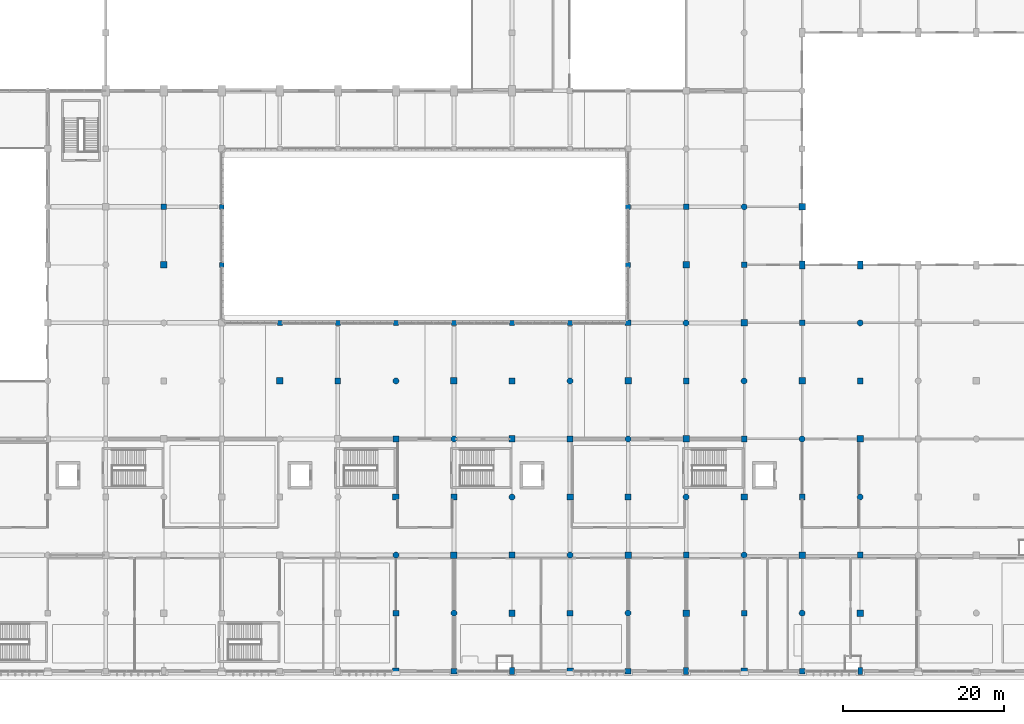
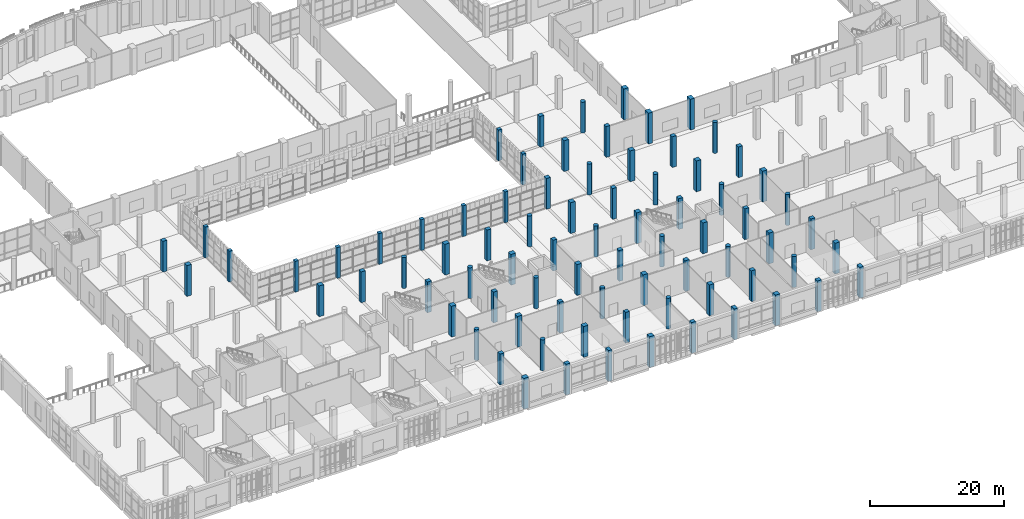
# One storey, part 4 of 80: 80 columns.
"""IFC4 building model written with IfcOpenShell, lengths in metres."""

from ifc_helpers import new_model, si_unit, direction, frame, origin, origin_2d, place, context, subcontext, project, spatial, rectangle, circle, extrude, material, material_profile, profile_set, type_object, element, save


model = new_model("IFC4")

# Units and contexts
model_context = context("Model", 3, precision=1e-05, world=origin(), true_north=direction((0.0, 1.0)))
body_context = subcontext(model_context, "Body", "Model", "MODEL_VIEW")
ifc_project = project(units=[si_unit("LENGTHUNIT", "METRE"), si_unit("AREAUNIT", "SQUARE_METRE"), si_unit("VOLUMEUNIT", "CUBIC_METRE"), si_unit("PLANEANGLEUNIT", "RADIAN"), si_unit("MASSUNIT", "GRAM", prefix="KILO")], contexts=[model_context])

# Site, building, storey
site_placement = place(None, origin())
site = spatial("IfcSite", under=ifc_project, at=site_placement, CompositionType="ELEMENT")
building_placement = place(site_placement, origin())
building = spatial("IfcBuilding", under=site, at=building_placement, Name="Sardonyx Promenade Sports Hall", CompositionType="ELEMENT")
storey_placement = place(building_placement, frame((0.0, 0.0, 5.60009765625)))
storey = spatial("IfcBuildingStorey", under=building, at=storey_placement, Name="L01", CompositionType="ELEMENT", Elevation=5.60009765625)

# Columns
ifc_material_1 = material(Name="Concrete C40/50", Category="concrete")
ifc_material_profile_1 = material_profile(ifc_material_1, rectangle(XDim=0.60009765625, YDim=0.60009765625, at=origin_2d()))
ifc_profile_set_1 = profile_set([ifc_material_profile_1], Name="Concrete C40/50")
column_type_1 = type_object("IfcColumnType", Name="Col_Ext_RC600", PredefinedType="COLUMN", material=ifc_profile_set_1)
for number, where, z_axis, x_axis, name in (
    (1, (43.199951171875, 50.39990234375, 0.0), (0.0, 0.0, 1.0), (1.0, 0.0, 0.0), "Column CE11 L01 (43.2,50.4)"),
    (2, (43.199951171875, 57.60009765625, 0.0), (0.0, 0.0, 1.0), (1.0, 0.0, 0.0), "Column CE11 L01 (43.2,57.6)"),
    (3, (50.39990234375, 43.199951171875, 0.0), (0.0, 0.0, 1.0), (1.0, 0.0, 0.0), "Column CE11 L01 (50.4,43.2)"),
    (4, (57.60009765625, 43.199951171875, 0.0), (0.0, 0.0, 1.0), (1.0, 0.0, 0.0), "Column CE11 L01 (57.6,43.2)"),
    (5, (64.800048828125, 43.199951171875, 0.0), (0.0, 0.0, 1.0), (1.0, 0.0, 0.0), "Column CE11 L01 (64.8,43.2)"),
    (6, (72.0, 43.199951171875, 0.0), (0.0, 0.0, 1.0), (1.0, 0.0, 0.0), "Column CE11 L01 (72.0,43.2)"),
    (7, (79.199951171875, 43.199951171875, 0.0), (0.0, 0.0, 1.0), (1.0, 0.0, 0.0), "Column CE11 L01 (79.2,43.2)"),
    (8, (86.39990234375, 43.199951171875, 0.0), (0.0, 0.0, 1.0), (1.0, 0.0, 0.0), "Column CE11 L01 (86.4,43.2)"),
    (9, (93.60009765625, 50.39990234375, 0.0), (0.0, 0.0, 1.0), (1.0, 0.0, 0.0), "Column CE11 L01 (93.6,50.4)"),
    (10, (93.60009765625, 57.60009765625, 0.0), (0.0, 0.0, 1.0), (1.0, 0.0, 0.0), "Column CE11 L01 (93.6,57.6)"),
):
    element("IfcColumn", number, at=place(storey_placement, frame(where, z_axis=z_axis, x_axis=x_axis)), inside=storey, type_object=column_type_1, Name=name, PredefinedType="COLUMN", context=body_context, shape_type="SweptSolid", body=[
        extrude(rectangle(XDim=0.60009765625, YDim=0.60009765625, at=origin_2d()), origin(), (0.0, 0.0, 1.0), 5.599853515625),
    ])
ifc_material_2 = material(Name="Concrete C40/50", Category="concrete")
ifc_material_profile_2 = material_profile(ifc_material_2, rectangle(XDim=0.60009765625, YDim=0.89990234375, at=origin_2d()))
ifc_profile_set_2 = profile_set([ifc_material_profile_2], Name="Concrete C40/50")
column_type_2 = type_object("IfcColumnType", Name="Col_Ext_RC600x900", PredefinedType="COLUMN", material=ifc_profile_set_2)
for number, where, z_axis, x_axis, name in (
    (11, (79.199951171875, 0.0, 0.0), (0.0, 0.0, 1.0), (1.0, 0.0, 0.0), "Column CE12 L01 (79.2,0.0)"),
    (12, (100.800048828125, 0.0, 0.0), (0.0, 0.0, 1.0), (1.0, 0.0, 0.0), "Column CE12 L01 (100.8,0.0)"),
    (13, (122.39990234375, 0.0, 0.0), (0.0, 0.0, 1.0), (1.0, 0.0, 0.0), "Column CE12 L01 (122.4,0.0)"),
):
    element("IfcColumn", number, at=place(storey_placement, frame(where, z_axis=z_axis, x_axis=x_axis)), inside=storey, type_object=column_type_2, Name=name, PredefinedType="COLUMN", context=body_context, shape_type="SweptSolid", body=[
        extrude(rectangle(XDim=0.60009765625, YDim=0.89990234375, at=origin_2d()), origin(), (0.0, 0.0, 1.0), 5.599853515625),
    ])
ifc_material_3 = material(Name="Concrete C40/50", Category="concrete")
ifc_material_profile_3 = material_profile(ifc_material_3, rectangle(XDim=0.699951171875, YDim=0.699951171875, at=origin_2d()))
ifc_profile_set_3 = profile_set([ifc_material_profile_3], Name="Concrete C40/50")
column_type_3 = type_object("IfcColumnType", Name="Col_Ext_RC700", PredefinedType="COLUMN", material=ifc_profile_set_3)
for number, where, z_axis, x_axis, name in (
    (14, (72.0, 0.0, 0.0), (0.0, 0.0, 1.0), (1.0, 0.0, 0.0), "Column CE05 L01 (72.0,0.0)"),
    (15, (93.60009765625, 0.0, 0.0), (0.0, 0.0, 1.0), (1.0, 0.0, 0.0), "Column CE05 L01 (93.6,0.0)"),
    (16, (115.199951171875, 0.0, 0.0), (0.0, 0.0, 1.0), (1.0, 0.0, 0.0), "Column CE05 L01 (115.2,0.0)"),
):
    element("IfcColumn", number, at=place(storey_placement, frame(where, z_axis=z_axis, x_axis=x_axis)), inside=storey, type_object=column_type_3, Name=name, PredefinedType="COLUMN", context=body_context, shape_type="SweptSolid", body=[
        extrude(rectangle(XDim=0.699951171875, YDim=0.699951171875, at=origin_2d()), origin(), (0.0, 0.0, 1.0), 5.599853515625),
    ])
ifc_material_4 = material(Name="Concrete C50/60", Category="concrete")
ifc_material_profile_4 = material_profile(ifc_material_4, rectangle(XDim=0.699951171875, YDim=1.0, at=origin_2d()))
ifc_profile_set_4 = profile_set([ifc_material_profile_4], Name="Concrete C50/60")
column_type_4 = type_object("IfcColumnType", Name="Col_Ext_RC700x1000", PredefinedType="COLUMN", material=ifc_profile_set_4)
for number, where, z_axis, x_axis, name in (
    (17, (115.199951171875, 50.39990234375, 0.0), (0.0, 0.0, 1.0), (1.0, 0.0, 0.0), "Column CE02 L01 (115.2,50.4)"),
    (18, (122.39990234375, 50.39990234375, 0.0), (0.0, 0.0, 1.0), (1.0, 0.0, 0.0), "Column CE02 L01 (122.4,50.4)"),
):
    element("IfcColumn", number, at=place(storey_placement, frame(where, z_axis=z_axis, x_axis=x_axis)), inside=storey, type_object=column_type_4, Name=name, PredefinedType="COLUMN", context=body_context, shape_type="SweptSolid", body=[
        extrude(rectangle(XDim=0.699951171875, YDim=1.0, at=origin_2d()), origin(), (0.0, 0.0, 1.0), 5.599853515625),
    ])
ifc_material_5 = material(Name="Concrete C50/60", Category="concrete")
ifc_material_profile_5 = material_profile(ifc_material_5, rectangle(XDim=0.800048828125, YDim=0.800048828125, at=origin_2d()))
ifc_profile_set_5 = profile_set([ifc_material_profile_5], Name="Concrete C50/60")
column_type_5 = type_object("IfcColumnType", Name="Col_Ext_RC800", PredefinedType="COLUMN", material=ifc_profile_set_5)
for number, where, z_axis, x_axis, name in (
    (19, (64.800048828125, 0.0, 0.0), (0.0, 0.0, 1.0), (1.0, 0.0, 0.0), "Column CE13 L01 (64.8,0.0)"),
    (20, (86.39990234375, 0.0, 0.0), (0.0, 0.0, 1.0), (1.0, 0.0, 0.0), "Column CE13 L01 (86.4,0.0)"),
    (21, (108.0, 0.0, 0.0), (0.0, 0.0, 1.0), (1.0, 0.0, 0.0), "Column CE13 L01 (108.0,0.0)"),
):
    element("IfcColumn", number, at=place(storey_placement, frame(where, z_axis=z_axis, x_axis=x_axis)), inside=storey, type_object=column_type_5, Name=name, PredefinedType="COLUMN", context=body_context, shape_type="SweptSolid", body=[
        extrude(rectangle(XDim=0.800048828125, YDim=0.800048828125, at=origin_2d()), origin(), (0.0, 0.0, 1.0), 5.599853515625),
    ])
ifc_material_6 = material(Name="Concrete C50/60", Category="concrete")
ifc_material_profile_6 = material_profile(ifc_material_6, rectangle(XDim=0.699951171875, YDim=0.699951171875, at=origin_2d()))
ifc_profile_set_6 = profile_set([ifc_material_profile_6], Name="Concrete C50/60")
column_type_6 = type_object("IfcColumnType", Name="Col_Int_RC700", PredefinedType="COLUMN", material=ifc_profile_set_6)
for number, where, z_axis, x_axis, name in (
    (22, (36.0, 57.60009765625, 0.0), (0.0, 0.0, 1.0), (1.0, 0.0, 0.0), "Column CI03 L01 (36.0,57.6)"),
    (23, (57.60009765625, 36.0, 0.0), (0.0, 0.0, 1.0), (1.0, 0.0, 0.0), "Column CI03 L01 (57.6,36.0)"),
    (24, (64.800048828125, 7.199951171875, 0.0), (0.0, 0.0, 1.0), (1.0, 0.0, 0.0), "Column CI03 L01 (64.8,7.2)"),
    (25, (64.800048828125, 28.800048828125, 0.0), (0.0, 0.0, 1.0), (1.0, 0.0, 0.0), "Column CI03 L01 (64.8,28.8)"),
    (26, (72.0, 21.60009765625, 0.0), (0.0, 0.0, 1.0), (1.0, 0.0, 0.0), "Column CI03 L01 (72.0,21.6)"),
    (27, (79.199951171875, 14.39990234375, 0.0), (0.0, 0.0, 1.0), (1.0, 0.0, 0.0), "Column CI03 L01 (79.2,14.4)"),
    (28, (79.199951171875, 36.0, 0.0), (0.0, 0.0, 1.0), (1.0, 0.0, 0.0), "Column CI03 L01 (79.2,36.0)"),
    (29, (86.39990234375, 7.199951171875, 0.0), (0.0, 0.0, 1.0), (1.0, 0.0, 0.0), "Column CI03 L01 (86.4,7.2)"),
    (30, (86.39990234375, 28.800048828125, 0.0), (0.0, 0.0, 1.0), (1.0, 0.0, 0.0), "Column CI03 L01 (86.4,28.8)"),
    (31, (93.60009765625, 21.60009765625, 0.0), (0.0, 0.0, 1.0), (1.0, 0.0, 0.0), "Column CI03 L01 (93.6,21.6)"),
    (32, (93.60009765625, 43.199951171875, 0.0), (0.0, 0.0, 1.0), (1.0, 0.0, 0.0), "Column CI03 L01 (93.6,43.2)"),
    (33, (100.800048828125, 14.39990234375, 0.0), (0.0, 0.0, 1.0), (1.0, 0.0, 0.0), "Column CI03 L01 (100.8,14.4)"),
    (34, (100.800048828125, 36.0, 0.0), (0.0, 0.0, 1.0), (1.0, 0.0, 0.0), "Column CI03 L01 (100.8,36.0)"),
    (35, (100.800048828125, 57.60009765625, 0.0), (0.0, 0.0, 1.0), (1.0, 0.0, 0.0), "Column CI03 L01 (100.8,57.6)"),
    (36, (108.0, 7.199951171875, 0.0), (0.0, 0.0, 1.0), (1.0, 0.0, 0.0), "Column CI03 L01 (108.0,7.2)"),
    (37, (108.0, 28.800048828125, 0.0), (0.0, 0.0, 1.0), (1.0, 0.0, 0.0), "Column CI03 L01 (108.0,28.8)"),
    (38, (108.0, 50.39990234375, 0.0), (0.0, 0.0, 1.0), (1.0, 0.0, 0.0), "Column CI03 L01 (108.0,50.4)"),
    (39, (115.199951171875, 21.60009765625, 0.0), (0.0, 0.0, 1.0), (1.0, 0.0, 0.0), "Column CI03 L01 (115.2,21.6)"),
    (40, (115.199951171875, 43.199951171875, 0.0), (0.0, 0.0, 1.0), (1.0, 0.0, 0.0), "Column CI03 L01 (115.2,43.2)"),
    (41, (122.39990234375, 14.39990234375, 0.0), (0.0, 0.0, 1.0), (1.0, 0.0, 0.0), "Column CI03 L01 (122.4,14.4)"),
    (42, (122.39990234375, 36.0, 0.0), (0.0, 0.0, 1.0), (1.0, 0.0, 0.0), "Column CI03 L01 (122.4,36.0)"),
):
    element("IfcColumn", number, at=place(storey_placement, frame(where, z_axis=z_axis, x_axis=x_axis)), inside=storey, type_object=column_type_6, Name=name, PredefinedType="COLUMN", context=body_context, shape_type="SweptSolid", body=[
        extrude(rectangle(XDim=0.699951171875, YDim=0.699951171875, at=origin_2d()), origin(), (0.0, 0.0, 1.0), 5.599853515625),
    ])
ifc_material_7 = material(Name="Concrete C50/60", Category="concrete")
ifc_material_profile_7 = material_profile(ifc_material_7, rectangle(XDim=0.800048828125, YDim=0.800048828125, at=origin_2d()))
ifc_profile_set_7 = profile_set([ifc_material_profile_7], Name="Concrete C50/60")
column_type_7 = type_object("IfcColumnType", Name="Col_Int_RC800", PredefinedType="COLUMN", material=ifc_profile_set_7)
for number, where, z_axis, x_axis, name in (
    (43, (36.0, 50.39990234375, 0.0), (0.0, 0.0, 1.0), (1.0, 0.0, 0.0), "Column CI01 L01 (36.0,50.4)"),
    (44, (50.39990234375, 36.0, 0.0), (0.0, 0.0, 1.0), (1.0, 0.0, 0.0), "Column CI01 L01 (50.4,36.0)"),
    (45, (64.800048828125, 21.60009765625, 0.0), (0.0, 0.0, 1.0), (1.0, 0.0, 0.0), "Column CI01 L01 (64.8,21.6)"),
    (46, (72.0, 14.39990234375, 0.0), (0.0, 0.0, 1.0), (1.0, 0.0, 0.0), "Column CI01 L01 (72.0,14.4)"),
    (47, (72.0, 36.0, 0.0), (0.0, 0.0, 1.0), (1.0, 0.0, 0.0), "Column CI01 L01 (72.0,36.0)"),
    (48, (79.199951171875, 7.199951171875, 0.0), (0.0, 0.0, 1.0), (1.0, 0.0, 0.0), "Column CI01 L01 (79.2,7.2)"),
    (49, (79.199951171875, 28.800048828125, 0.0), (0.0, 0.0, 1.0), (1.0, 0.0, 0.0), "Column CI01 L01 (79.2,28.8)"),
    (50, (86.39990234375, 21.60009765625, 0.0), (0.0, 0.0, 1.0), (1.0, 0.0, 0.0), "Column CI01 L01 (86.4,21.6)"),
    (51, (93.60009765625, 14.39990234375, 0.0), (0.0, 0.0, 1.0), (1.0, 0.0, 0.0), "Column CI01 L01 (93.6,14.4)"),
    (52, (93.60009765625, 36.0, 0.0), (0.0, 0.0, 1.0), (1.0, 0.0, 0.0), "Column CI01 L01 (93.6,36.0)"),
    (53, (100.800048828125, 7.199951171875, 0.0), (0.0, 0.0, 1.0), (1.0, 0.0, 0.0), "Column CI01 L01 (100.8,7.2)"),
    (54, (100.800048828125, 28.800048828125, 0.0), (0.0, 0.0, 1.0), (1.0, 0.0, 0.0), "Column CI01 L01 (100.8,28.8)"),
    (55, (100.800048828125, 50.39990234375, 0.0), (0.0, 0.0, 1.0), (1.0, 0.0, 0.0), "Column CI01 L01 (100.8,50.4)"),
    (56, (108.0, 21.60009765625, 0.0), (0.0, 0.0, 1.0), (1.0, 0.0, 0.0), "Column CI01 L01 (108.0,21.6)"),
    (57, (108.0, 43.199951171875, 0.0), (0.0, 0.0, 1.0), (1.0, 0.0, 0.0), "Column CI01 L01 (108.0,43.2)"),
    (58, (115.199951171875, 14.39990234375, 0.0), (0.0, 0.0, 1.0), (1.0, 0.0, 0.0), "Column CI01 L01 (115.2,14.4)"),
    (59, (115.199951171875, 36.0, 0.0), (0.0, 0.0, 1.0), (1.0, 0.0, 0.0), "Column CI01 L01 (115.2,36.0)"),
    (60, (115.199951171875, 57.60009765625, 0.0), (0.0, 0.0, 1.0), (1.0, 0.0, 0.0), "Column CI01 L01 (115.2,57.6)"),
    (61, (122.39990234375, 7.199951171875, 0.0), (0.0, 0.0, 1.0), (1.0, 0.0, 0.0), "Column CI01 L01 (122.4,7.2)"),
    (62, (122.39990234375, 28.800048828125, 0.0), (0.0, 0.0, 1.0), (1.0, 0.0, 0.0), "Column CI01 L01 (122.4,28.8)"),
):
    element("IfcColumn", number, at=place(storey_placement, frame(where, z_axis=z_axis, x_axis=x_axis)), inside=storey, type_object=column_type_7, Name=name, PredefinedType="COLUMN", context=body_context, shape_type="SweptSolid", body=[
        extrude(rectangle(XDim=0.800048828125, YDim=0.800048828125, at=origin_2d()), origin(), (0.0, 0.0, 1.0), 5.599853515625),
    ])
ifc_material_8 = material(Name="Concrete C50/60", Category="concrete")
ifc_material_profile_8 = material_profile(ifc_material_8, circle(Radius=0.375, at=origin_2d()))
ifc_profile_set_8 = profile_set([ifc_material_profile_8], Name="Concrete C50/60")
column_type_8 = type_object("IfcColumnType", Name="Col_Int_RCD750", PredefinedType="COLUMN", material=ifc_profile_set_8)
for number, where, z_axis, x_axis, name in (
    (63, (64.800048828125, 14.39990234375, 0.0), (0.0, 0.0, 1.0), (1.0, 0.0, 0.0), "Column CI07 L01 (64.8,14.4)"),
    (64, (64.800048828125, 36.0, 0.0), (0.0, 0.0, 1.0), (1.0, 0.0, 0.0), "Column CI07 L01 (64.8,36.0)"),
    (65, (72.0, 7.199951171875, 0.0), (0.0, 0.0, 1.0), (1.0, 0.0, 0.0), "Column CI07 L01 (72.0,7.2)"),
    (66, (72.0, 28.800048828125, 0.0), (0.0, 0.0, 1.0), (1.0, 0.0, 0.0), "Column CI07 L01 (72.0,28.8)"),
    (67, (79.199951171875, 21.60009765625, 0.0), (0.0, 0.0, 1.0), (1.0, 0.0, 0.0), "Column CI07 L01 (79.2,21.6)"),
    (68, (86.39990234375, 14.39990234375, 0.0), (0.0, 0.0, 1.0), (1.0, 0.0, 0.0), "Column CI07 L01 (86.4,14.4)"),
    (69, (86.39990234375, 36.0, 0.0), (0.0, 0.0, 1.0), (1.0, 0.0, 0.0), "Column CI07 L01 (86.4,36.0)"),
    (70, (93.60009765625, 7.199951171875, 0.0), (0.0, 0.0, 1.0), (1.0, 0.0, 0.0), "Column CI07 L01 (93.6,7.2)"),
    (71, (93.60009765625, 28.800048828125, 0.0), (0.0, 0.0, 1.0), (1.0, 0.0, 0.0), "Column CI07 L01 (93.6,28.8)"),
    (72, (100.800048828125, 21.60009765625, 0.0), (0.0, 0.0, 1.0), (1.0, 0.0, 0.0), "Column CI07 L01 (100.8,21.6)"),
    (73, (100.800048828125, 43.199951171875, 0.0), (0.0, 0.0, 1.0), (1.0, 0.0, 0.0), "Column CI07 L01 (100.8,43.2)"),
    (74, (108.0, 14.39990234375, 0.0), (0.0, 0.0, 1.0), (1.0, 0.0, 0.0), "Column CI07 L01 (108.0,14.4)"),
    (75, (108.0, 36.0, 0.0), (0.0, 0.0, 1.0), (1.0, 0.0, 0.0), "Column CI07 L01 (108.0,36.0)"),
    (76, (108.0, 57.60009765625, 0.0), (0.0, 0.0, 1.0), (1.0, 0.0, 0.0), "Column CI07 L01 (108.0,57.6)"),
    (77, (115.199951171875, 7.199951171875, 0.0), (0.0, 0.0, 1.0), (1.0, 0.0, 0.0), "Column CI07 L01 (115.2,7.2)"),
    (78, (115.199951171875, 28.800048828125, 0.0), (0.0, 0.0, 1.0), (1.0, 0.0, 0.0), "Column CI07 L01 (115.2,28.8)"),
    (79, (122.39990234375, 21.60009765625, 0.0), (0.0, 0.0, 1.0), (1.0, 0.0, 0.0), "Column CI07 L01 (122.4,21.6)"),
    (80, (122.39990234375, 43.199951171875, 0.0), (0.0, 0.0, 1.0), (1.0, 0.0, 0.0), "Column CI07 L01 (122.4,43.2)"),
):
    element("IfcColumn", number, at=place(storey_placement, frame(where, z_axis=z_axis, x_axis=x_axis)), inside=storey, type_object=column_type_8, Name=name, PredefinedType="COLUMN", context=body_context, shape_type="SweptSolid", body=[
        extrude(circle(Radius=0.375, at=origin_2d()), origin(), (0.0, 0.0, 1.0), 5.599853515625),
    ])

save(model, "model.ifc")
